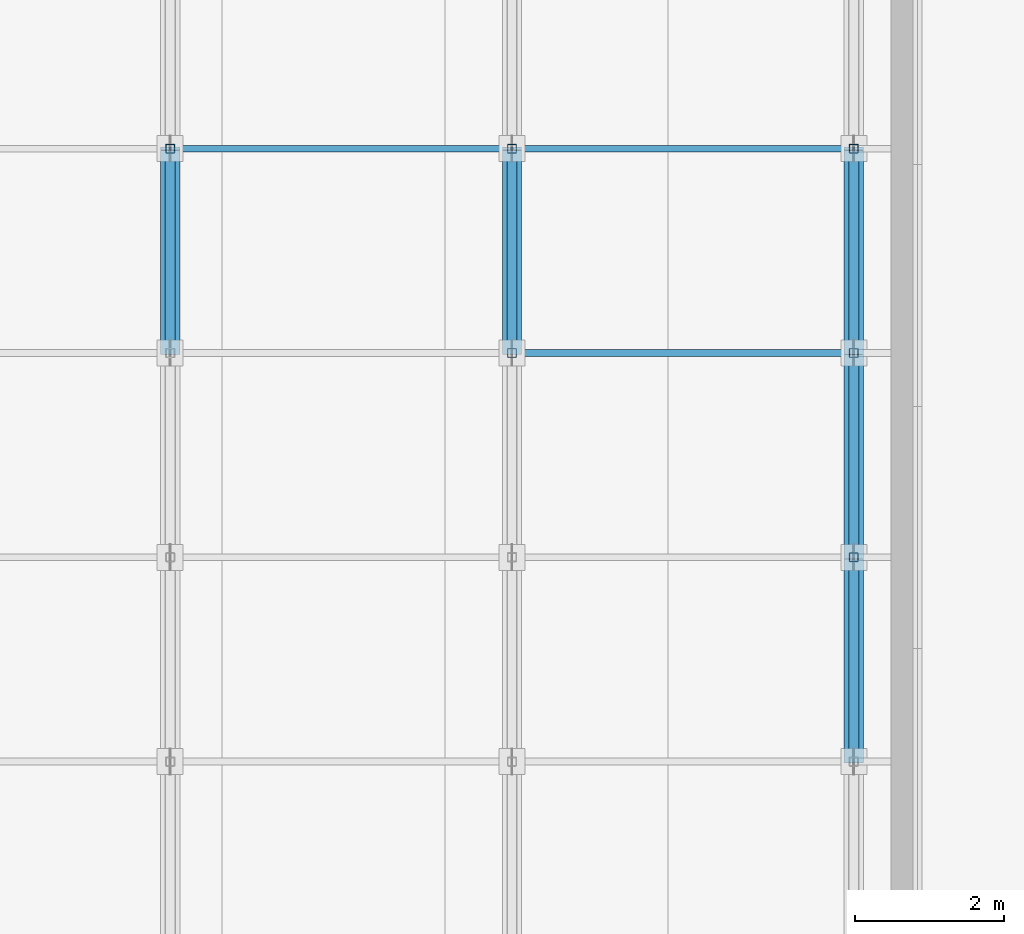
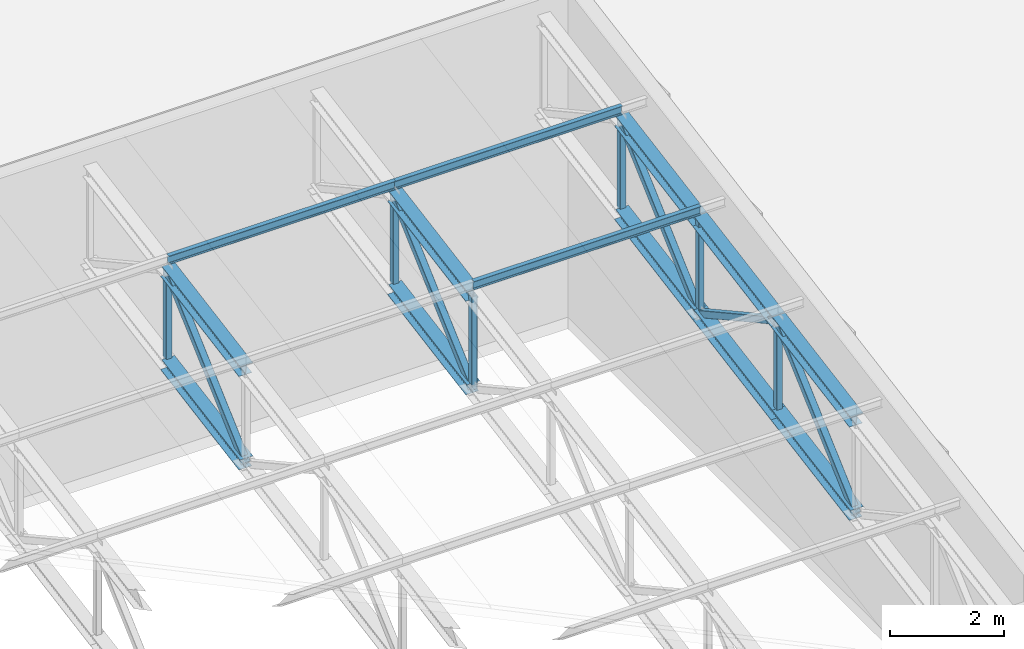
# One storey, part 6 of 22: 24 members.
"""IFC4 building model written with IfcOpenShell, lengths in metres."""

import ifcopenshell
import ifcopenshell.guid

model = None  # the IFC model being written
_history = None  # IfcOwnerHistory: only IFC2X3 demands one
_inside = {}  # id of a spatial element -> (the spatial element, [elements in it])
_under = {}  # id of a project, library or spatial element -> (it, [spatial elements below it])
_declared = {}  # id of a project -> (the project, [libraries it declares])
_typed = {}  # id of a type object -> (the type object, [elements of that type])
_made_of = {}  # id of a material, layer set ... -> (it, [elements and type objects made of it])


def new_model(schema):
    """Start an empty IFC model of exactly this schema.

    Asked for "IFC4X3", IfcOpenShell would pick the latest addendum, in which some entities
    have other attributes; the version numbers below select the first issue.
    IFC2X3 requires an IfcOwnerHistory on every rooted entity: one is made here for all.
    """
    global model, _history
    if schema == "IFC4X3":
        model = ifcopenshell.file(schema_version=(4, 3, 0, 0))
    else:
        model = ifcopenshell.file(schema=schema)
    _inside.clear()
    _under.clear()
    _declared.clear()
    _typed.clear()
    _made_of.clear()
    _history = None
    if model.schema == "IFC2X3":
        org = make("IfcOrganization", Name="unknown")
        user = make(
            "IfcPersonAndOrganization",
            ThePerson=make("IfcPerson", FamilyName="unknown"),
            TheOrganization=org,
        )
        app = make(
            "IfcApplication",
            ApplicationDeveloper=org,
            Version="unknown",
            ApplicationFullName="unknown",
            ApplicationIdentifier="unknown",
        )
        _history = make(
            "IfcOwnerHistory",
            OwningUser=user,
            OwningApplication=app,
            ChangeAction="ADDED",
            CreationDate=0,
        )
    return model


def make(cls, **values):
    """One entity of the class cls with the attributes given. An attribute that is None is left unset."""
    return model.create_entity(
        cls, **{name: value for name, value in values.items() if value is not None}
    )


def rooted(cls, **values):
    """An entity with a GlobalId (a new one), such as an element, a storey or a relation."""
    return make(cls, GlobalId=ifcopenshell.guid.new(), OwnerHistory=_history, **values)


def si_unit(unit_type, name, prefix=None):
    """IfcSIUnit, for example si_unit("LENGTHUNIT", "METRE", prefix="MILLI")."""
    return make("IfcSIUnit", UnitType=unit_type, Prefix=prefix, Name=name)


def assignment(units):
    """IfcUnitAssignment: the units of a project."""
    return None if units is None else make("IfcUnitAssignment", Units=units)


def point(xyz):
    """IfcCartesianPoint."""
    return None if xyz is None else make("IfcCartesianPoint", Coordinates=xyz)


def direction(xyz):
    """IfcDirection."""
    return None if xyz is None else make("IfcDirection", DirectionRatios=xyz)


def frame(location, z_axis=None, x_axis=None):
    """IfcAxis2Placement3D, a coordinate frame: its origin and axes. An axis left out is left unset."""
    return make(
        "IfcAxis2Placement3D",
        Location=point(location),
        Axis=direction(z_axis),
        RefDirection=direction(x_axis),
    )


def frame_2d(location, x_axis=None):
    """IfcAxis2Placement2D, a coordinate frame in the plane: its origin and x axis."""
    return make(
        "IfcAxis2Placement2D", Location=point(location), RefDirection=direction(x_axis)
    )


def origin():
    """The frame at (0, 0, 0) with its axes left unset."""
    return frame((0.0, 0.0, 0.0))


def origin_2d():
    """The frame at (0, 0) in the plane with its x axis left unset."""
    return frame_2d((0.0, 0.0))


def place(relative_to, where):
    """IfcLocalPlacement: puts the frame where relative to a parent placement (None: the world)."""
    return make(
        "IfcLocalPlacement", PlacementRelTo=relative_to, RelativePlacement=where
    )


def context(
    kind, dimensions, precision=None, world=None, true_north=None, identifier=None
):
    """IfcGeometricRepresentationContext, for example the 3D "Model" context."""
    return make(
        "IfcGeometricRepresentationContext",
        ContextIdentifier=identifier,
        ContextType=kind,
        CoordinateSpaceDimension=dimensions,
        Precision=precision,
        WorldCoordinateSystem=world,
        TrueNorth=true_north,
    )


def subcontext(parent, identifier, kind, view, scale=None):
    """IfcGeometricRepresentationSubContext, for example "Body" below "Model"."""
    return make(
        "IfcGeometricRepresentationSubContext",
        ContextIdentifier=identifier,
        ContextType=kind,
        ParentContext=parent,
        TargetScale=scale,
        TargetView=view,
    )


def project(units=None, contexts=None):
    """IfcProject with its units and contexts."""
    return rooted(
        "IfcProject",
        Name="project",
        RepresentationContexts=contexts,
        UnitsInContext=assignment(units),
    )


def spatial(cls, under=None, at=None, **own):
    """A site, building, storey or space (cls), placed at a placement, below another one or the project."""
    s = rooted(cls, ObjectPlacement=at, **own)
    if under is not None:
        _under.setdefault(under.id(), (under, []))[1].append(s)
    return s


def profile(cls, at=None, kind="AREA", **sizes):
    """A parametric profile (cls). Its sizes go by their IFC names, for example OverallWidth=200.0."""
    return make(cls, ProfileType=kind, Position=at, **sizes)


def hollow_rectangle(**sizes):
    """IfcRectangleHollowProfileDef."""
    return profile("IfcRectangleHollowProfileDef", **sizes)


def i_section(**sizes):
    """IfcIShapeProfileDef."""
    return profile("IfcIShapeProfileDef", **sizes)


def extrude(swept, where, along, depth):
    """IfcExtrudedAreaSolid: the profile swept, set in the frame where, extruded along a direction by depth."""
    return make(
        "IfcExtrudedAreaSolid",
        SweptArea=swept,
        Position=where,
        ExtrudedDirection=direction(along),
        Depth=depth,
    )


def shape(context_of_items, identifier, shape_type, items):
    """IfcShapeRepresentation: the items that make up one representation, for example the "Body"."""
    return make(
        "IfcShapeRepresentation",
        ContextOfItems=context_of_items,
        RepresentationIdentifier=identifier,
        RepresentationType=shape_type,
        Items=items,
    )


def material(Name=None, Category=None):
    """IfcMaterial."""
    return make("IfcMaterial", Name=Name, Category=Category)


def material_profile(
    of_material, cross_section, Name=None, Category=None, Priority=None
):
    """IfcMaterialProfile: a cross section and its material."""
    return make(
        "IfcMaterialProfile",
        Name=Name,
        Material=of_material,
        Profile=cross_section,
        Priority=Priority,
        Category=Category,
    )


def profile_set(profiles, Name=None, composite=None):
    """IfcMaterialProfileSet."""
    return make(
        "IfcMaterialProfileSet",
        Name=Name,
        MaterialProfiles=profiles,
        CompositeProfile=composite,
    )


def made_of(thing, what):
    """Note that an element or type object is made of a material, layer set ...; save() writes the relation."""
    if what is not None:
        _made_of.setdefault(what.id(), (what, []))[1].append(thing)
    return thing


def type_object(cls, material=None, **own):
    """A type object (cls), such as IfcWallType, which elements share."""
    return made_of(rooted(cls, **own), material)


def element(
    cls,
    number,
    at=None,
    inside=None,
    cuts=None,
    type_object=None,
    material=None,
    context=None,
    identifier="Body",
    shape_type=None,
    held_by="IfcProductDefinitionShape",
    body=None,
    shapes=None,
    **own,
):
    """One element of the class cls, such as IfcWall. Its Tag is "e" and its number.

    at: its placement. inside: the storey or other place that contains it. cuts: it is an
    opening in that element (IfcRelVoidsElement). A single representation is given by context,
    identifier, shape_type and body (its items); several are given by shapes. held_by: the class
    of the entity that holds the representations. save() writes the other relations.
    """
    e = rooted(cls, Tag="e%d" % number, ObjectPlacement=at, **own)
    if body is not None:
        shapes = [shape(context, identifier, shape_type, body)]
    if shapes is not None:
        e.Representation = make(held_by, Representations=shapes)
    if inside is not None:
        _inside.setdefault(inside.id(), (inside, []))[1].append(e)
    if cuts is not None:
        rooted(
            "IfcRelVoidsElement", RelatingBuildingElement=cuts, RelatedOpeningElement=e
        )
    if type_object is not None:
        _typed.setdefault(type_object.id(), (type_object, []))[1].append(e)
    return made_of(e, material)


def aggregate(whole, parts):
    """IfcRelAggregates: a whole, such as a stair, and the parts it consists of."""
    return rooted("IfcRelAggregates", RelatingObject=whole, RelatedObjects=parts)


def save(model, path):
    """Write the relations noted so far, then the file.

    IfcRelAggregates (storeys below a building ...), IfcRelContainedInSpatialStructure (elements
    in a storey), IfcRelDefinesByType, IfcRelAssociatesMaterial and IfcRelDeclares: one each for
    every whole, place, type object, material and project.
    """
    for whole, parts in _under.values():
        aggregate(whole, parts)
    for where, things in _inside.values():
        rooted(
            "IfcRelContainedInSpatialStructure",
            RelatedElements=things,
            RelatingStructure=where,
        )
    for kind, things in _typed.values():
        rooted("IfcRelDefinesByType", RelatedObjects=things, RelatingType=kind)
    for what, things in _made_of.values():
        rooted("IfcRelAssociatesMaterial", RelatedObjects=things, RelatingMaterial=what)
    for by, libraries in _declared.values():
        rooted("IfcRelDeclares", RelatingContext=by, RelatedDefinitions=libraries)
    model.write(path)


model = new_model("IFC4")

# Units and contexts
model_context = context("Model", 3, precision=1e-05, world=origin(), true_north=direction((0.0, 1.0)))
body_context = subcontext(model_context, "Body", "Model", "MODEL_VIEW")
ifc_project = project(units=[si_unit("LENGTHUNIT", "METRE"), si_unit("AREAUNIT", "SQUARE_METRE"), si_unit("VOLUMEUNIT", "CUBIC_METRE"), si_unit("PLANEANGLEUNIT", "RADIAN"), si_unit("MASSUNIT", "GRAM", prefix="KILO")], contexts=[model_context])

# Site, building, storey
site_placement = place(None, origin())
site = spatial("IfcSite", under=ifc_project, at=site_placement, CompositionType="ELEMENT")
building_placement = place(site_placement, origin())
building = spatial("IfcBuilding", under=site, at=building_placement, Name="Lunette Opera House", CompositionType="ELEMENT")
storey_placement = place(building_placement, frame((0.0, 0.0, 28.0)))
storey = spatial("IfcBuildingStorey", under=building, at=storey_placement, Name="L05", CompositionType="ELEMENT", Elevation=28.0)

# Members
ifc_material_1 = material(Name="Steel S355", Category="steel")
ifc_material_profile_1 = material_profile(ifc_material_1, i_section(OverallWidth=0.260009765625, OverallDepth=0.25, WebThickness=0.007568359375, FlangeThickness=0.012451171875, FilletRadius=0.02392578125, at=origin_2d()), Name="HEA 260")
ifc_profile_set_1 = profile_set([ifc_material_profile_1], Name="Steel S355")
member_type_1 = type_object("IfcMemberType", Name="CHORD HEA 260", PredefinedType="CHORD", material=ifc_profile_set_1)
for number, where, z_axis, x_axis, name in (
    (1, (24.300048828125, 82.5, 5.60400390625), (0.0, 0.984794998673, 0.173720495593), (-1.0, 0.0, 0.0), "mem-RW-L05-LF-4-TC7"),
    (2, (24.300048828125, 82.5, 3.60400390625), (0.0, 0.984794998673, 0.173720495593), (-1.0, 0.0, 0.0), "mem-RW-L05-LF-4-BC7"),
    (3, (28.89990234375, 82.5, 5.60400390625), (0.0, 0.984794998673, 0.173720495593), (-1.0, 0.0, 0.0), "mem-RW-L05-LF-5-TC7"),
    (4, (28.89990234375, 82.5, 3.60400390625), (0.0, 0.984794998673, 0.173720495593), (-1.0, 0.0, 0.0), "mem-RW-L05-LF-5-BC7"),
):
    element("IfcMember", number, at=place(storey_placement, frame(where, z_axis=z_axis, x_axis=x_axis)), inside=storey, type_object=member_type_1, Name=name, PredefinedType="CHORD", context=body_context, shape_type="SweptSolid", body=[
        extrude(i_section(OverallWidth=0.260009765625, OverallDepth=0.25, WebThickness=0.007568359375, FlangeThickness=0.012451171875, FilletRadius=0.02392578125, at=origin_2d()), origin(), (0.0, 0.0, 1.0), 2.79248046875),
    ])
for number, where, z_axis, x_axis, name in (
    (5, (33.5, 77.0, 4.635009765625), (0.0, 0.98486969904, 0.173296497115), (-1.0, 0.0, 0.0), "mem-RW-L05-LF-6-TC5"),
    (6, (33.5, 77.0, 2.635009765625), (0.0, 0.98486969904, 0.173296497115), (-1.0, 0.0, 0.0), "mem-RW-L05-LF-6-BC5"),
):
    element("IfcMember", number, at=place(storey_placement, frame(where, z_axis=z_axis, x_axis=x_axis)), inside=storey, type_object=member_type_1, Name=name, PredefinedType="CHORD", context=body_context, shape_type="SweptSolid", body=[
        extrude(i_section(OverallWidth=0.260009765625, OverallDepth=0.25, WebThickness=0.007568359375, FlangeThickness=0.012451171875, FilletRadius=0.02392578125, at=origin_2d()), origin(), (0.0, 0.0, 1.0), 2.792236328125),
    ])
for number, where, z_axis, x_axis, name in (
    (7, (33.5, 79.75, 5.118896484375), (0.0, 0.984794998673, 0.173720495593), (-1.0, 0.0, 0.0), "mem-RW-L05-LF-6-TC6"),
    (8, (33.5, 79.75, 3.118896484375), (0.0, 0.984794998673, 0.173720495593), (-1.0, 0.0, 0.0), "mem-RW-L05-LF-6-BC6"),
    (9, (33.5, 82.5, 5.60400390625), (0.0, 0.984794998673, 0.173720495593), (-1.0, 0.0, 0.0), "mem-RW-L05-LF-6-TC7"),
    (10, (33.5, 82.5, 3.60400390625), (0.0, 0.984794998673, 0.173720495593), (-1.0, 0.0, 0.0), "mem-RW-L05-LF-6-BC7"),
):
    element("IfcMember", number, at=place(storey_placement, frame(where, z_axis=z_axis, x_axis=x_axis)), inside=storey, type_object=member_type_1, Name=name, PredefinedType="CHORD", context=body_context, shape_type="SweptSolid", body=[
        extrude(i_section(OverallWidth=0.260009765625, OverallDepth=0.25, WebThickness=0.007568359375, FlangeThickness=0.012451171875, FilletRadius=0.02392578125, at=origin_2d()), origin(), (0.0, 0.0, 1.0), 2.79248046875),
    ])
ifc_material_2 = material(Name="Steel S355", Category="steel")
ifc_material_profile_2 = material_profile(ifc_material_2, hollow_rectangle(XDim=0.139892578125, YDim=0.139892578125, WallThickness=0.006103515625, InnerFilletRadius=0.006103515625, OuterFilletRadius=0.011962890625, at=origin_2d()), Name="RHS 140X140X6")
ifc_profile_set_2 = profile_set([ifc_material_profile_2], Name="Steel S355")
member_type_2 = type_object("IfcMemberType", Name="DIAGONAL RHS 140X140X6", PredefinedType="BRACE", material=ifc_profile_set_2)
for number, where, z_axis, x_axis, name in (
    (11, (24.300048828125, 82.5, 3.60400390625), (0.0, 0.741936685601, 0.670469950527), (-1.0, 0.0, 0.0), "mem-RW-L05-LF-4-TD7"),
    (12, (28.89990234375, 82.5, 3.60400390625), (0.0, 0.741936685601, 0.670469950527), (-1.0, 0.0, 0.0), "mem-RW-L05-LF-5-TD7"),
):
    element("IfcMember", number, at=place(storey_placement, frame(where, z_axis=z_axis, x_axis=x_axis)), inside=storey, type_object=member_type_2, Name=name, PredefinedType="BRACE", context=body_context, shape_type="SweptSolid", body=[
        extrude(hollow_rectangle(XDim=0.139892578125, YDim=0.139892578125, WallThickness=0.006103515625, InnerFilletRadius=0.006103515625, OuterFilletRadius=0.011962890625, at=origin_2d()), origin(), (0.0, 0.0, 1.0), 3.70654296875),
    ])
member_1_placement = place(storey_placement, frame((33.5, 77.0, 2.635009765625), z_axis=(0.0, 0.742100528467, 0.670288598776), x_axis=(-1.0, 0.0, 0.0)))
element("IfcMember", 13, at=member_1_placement, inside=storey, type_object=member_type_2, Name="mem-RW-L05-LF-6-TD5", PredefinedType="BRACE", context=body_context, shape_type="SweptSolid", body=[
    extrude(hollow_rectangle(XDim=0.139892578125, YDim=0.139892578125, WallThickness=0.006103515625, InnerFilletRadius=0.006103515625, OuterFilletRadius=0.011962890625, at=origin_2d()), origin(), (0.0, 0.0, 1.0), 3.705810546875),
])
member_2_placement = place(storey_placement, frame((33.5, 79.75, 5.118896484375), z_axis=(0.0, 0.875893925299, -0.482503711513), x_axis=(-1.0, 0.0, 0.0)))
element("IfcMember", 14, at=member_2_placement, inside=storey, type_object=member_type_2, Name="mem-RW-L05-LF-6-TD6", PredefinedType="BRACE", context=body_context, shape_type="SweptSolid", body=[
    extrude(hollow_rectangle(XDim=0.139892578125, YDim=0.139892578125, WallThickness=0.006103515625, InnerFilletRadius=0.006103515625, OuterFilletRadius=0.011962890625, at=origin_2d()), origin(), (0.0, 0.0, 1.0), 3.1396484375),
])
member_3_placement = place(storey_placement, frame((33.5, 82.5, 3.60400390625), z_axis=(0.0, 0.741936685601, 0.670469950527), x_axis=(-1.0, 0.0, 0.0)))
element("IfcMember", 15, at=member_3_placement, inside=storey, type_object=member_type_2, Name="mem-RW-L05-LF-6-TD7", PredefinedType="BRACE", context=body_context, shape_type="SweptSolid", body=[
    extrude(hollow_rectangle(XDim=0.139892578125, YDim=0.139892578125, WallThickness=0.006103515625, InnerFilletRadius=0.006103515625, OuterFilletRadius=0.011962890625, at=origin_2d()), origin(), (0.0, 0.0, 1.0), 3.70654296875),
])
ifc_material_3 = material(Name="Steel S355", Category="steel")
ifc_material_profile_3 = material_profile(ifc_material_3, i_section(OverallWidth=0.091064453125, OverallDepth=0.179931640625, WebThickness=0.00537109375, FlangeThickness=0.008056640625, FilletRadius=0.009033203125, at=origin_2d()), Name="IPE 180")
ifc_profile_set_3 = profile_set([ifc_material_profile_3], Name="Steel S355")
member_type_3 = type_object("IfcMemberType", Name="PURLIN IPE 180", PredefinedType="PURLIN", material=ifc_profile_set_3)
member_4_placement = place(storey_placement, frame((28.89990234375, 82.5, 5.819091796875), z_axis=(1.0, 0.0, 0.0), x_axis=(0.0, 1.0, 0.0)))
element("IfcMember", 16, at=member_4_placement, inside=storey, type_object=member_type_3, Name="mem-RW-L05-LF-PU6-6", PredefinedType="PURLIN", context=body_context, shape_type="SweptSolid", body=[
    extrude(i_section(OverallWidth=0.091064453125, OverallDepth=0.179931640625, WebThickness=0.00537109375, FlangeThickness=0.008056640625, FilletRadius=0.009033203125, at=origin_2d()), origin(), (0.0, 0.0, 1.0), 4.60009765625),
])
member_5_placement = place(storey_placement, frame((24.300048828125, 85.25, 6.303955078125), z_axis=(1.0, 0.0, 0.0), x_axis=(0.0, 1.0, 0.0)))
element("IfcMember", 17, at=member_5_placement, inside=storey, type_object=member_type_3, Name="mem-RW-L05-LF-PU7-5", PredefinedType="PURLIN", context=body_context, shape_type="SweptSolid", body=[
    extrude(i_section(OverallWidth=0.091064453125, OverallDepth=0.179931640625, WebThickness=0.00537109375, FlangeThickness=0.008056640625, FilletRadius=0.009033203125, at=origin_2d()), origin(), (0.0, 0.0, 1.0), 4.599853515625),
])
member_6_placement = place(storey_placement, frame((28.89990234375, 85.25, 6.303955078125), z_axis=(1.0, 0.0, 0.0), x_axis=(0.0, 1.0, 0.0)))
element("IfcMember", 18, at=member_6_placement, inside=storey, type_object=member_type_3, Name="mem-RW-L05-LF-PU7-6", PredefinedType="PURLIN", context=body_context, shape_type="SweptSolid", body=[
    extrude(i_section(OverallWidth=0.091064453125, OverallDepth=0.179931640625, WebThickness=0.00537109375, FlangeThickness=0.008056640625, FilletRadius=0.009033203125, at=origin_2d()), origin(), (0.0, 0.0, 1.0), 4.60009765625),
])
ifc_material_4 = material(Name="Steel S355", Category="steel")
ifc_material_profile_4 = material_profile(ifc_material_4, hollow_rectangle(XDim=0.1201171875, YDim=0.1201171875, WallThickness=0.0048828125, InnerFilletRadius=0.0048828125, OuterFilletRadius=0.010009765625, at=origin_2d()), Name="RHS 120X120X5")
ifc_profile_set_4 = profile_set([ifc_material_profile_4], Name="Steel S355")
member_type_4 = type_object("IfcMemberType", Name="VERTICAL RHS 120X120X5", PredefinedType="POST", material=ifc_profile_set_4)
for number, where, z_axis, x_axis, name in (
    (19, (24.300048828125, 85.25, 4.089111328125), (0.0, 0.0, 1.0), (1.0, 0.0, 0.0), "mem-RW-L05-LF-4-TV8"),
    (20, (28.89990234375, 82.5, 3.60400390625), (0.0, 0.0, 1.0), (1.0, 0.0, 0.0), "mem-RW-L05-LF-5-TV7"),
    (21, (28.89990234375, 85.25, 4.089111328125), (0.0, 0.0, 1.0), (1.0, 0.0, 0.0), "mem-RW-L05-LF-5-TV8"),
    (22, (33.5, 79.75, 3.118896484375), (0.0, 0.0, 1.0), (1.0, 0.0, 0.0), "mem-RW-L05-LF-6-TV6"),
    (23, (33.5, 82.5, 3.60400390625), (0.0, 0.0, 1.0), (1.0, 0.0, 0.0), "mem-RW-L05-LF-6-TV7"),
    (24, (33.5, 85.25, 4.089111328125), (0.0, 0.0, 1.0), (1.0, 0.0, 0.0), "mem-RW-L05-LF-6-TV8"),
):
    element("IfcMember", number, at=place(storey_placement, frame(where, z_axis=z_axis, x_axis=x_axis)), inside=storey, type_object=member_type_4, Name=name, PredefinedType="POST", context=body_context, shape_type="SweptSolid", body=[
        extrude(hollow_rectangle(XDim=0.1201171875, YDim=0.1201171875, WallThickness=0.0048828125, InnerFilletRadius=0.0048828125, OuterFilletRadius=0.010009765625, at=origin_2d()), origin(), (0.0, 0.0, 1.0), 2.0),
    ])

save(model, "model.ifc")
